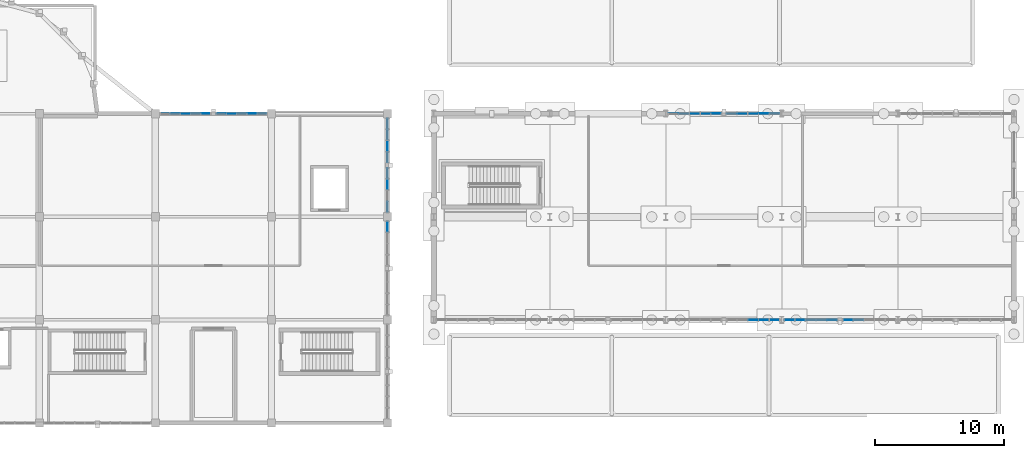
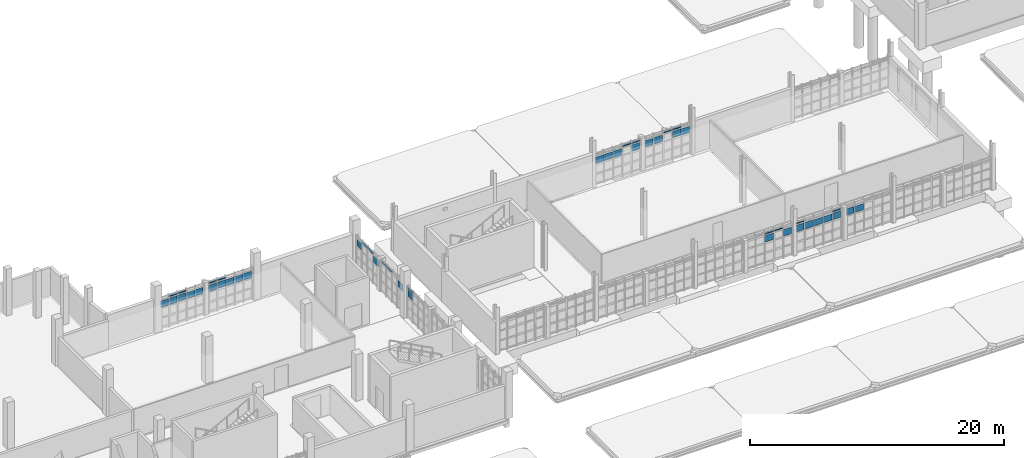
# One storey, part 99 of 125: 48 plates, 10 elements without a shape of their own.
"""IFC4 building model written with IfcOpenShell, lengths in metres."""

from ifc_helpers import new_model, si_unit, direction, frame, origin, origin_2d, place, context, subcontext, project, spatial, rectangle, extrude, material, layer, layer_set, type_object, element, aggregate, save


model = new_model("IFC4")

# Units and contexts
model_context = context("Model", 3, precision=1e-05, world=origin(), true_north=direction((0.0, 1.0)))
body_context = subcontext(model_context, "Body", "Model", "MODEL_VIEW")
ifc_project = project(units=[si_unit("LENGTHUNIT", "METRE"), si_unit("AREAUNIT", "SQUARE_METRE"), si_unit("VOLUMEUNIT", "CUBIC_METRE"), si_unit("PLANEANGLEUNIT", "RADIAN"), si_unit("MASSUNIT", "GRAM", prefix="KILO")], contexts=[model_context])

# Site, building, storey
site_placement = place(None, origin())
site = spatial("IfcSite", under=ifc_project, at=site_placement, CompositionType="ELEMENT")
building_placement = place(site_placement, origin())
building = spatial("IfcBuilding", under=site, at=building_placement, Name="Serraforn Aerial Cableway Station", CompositionType="ELEMENT")
storey_placement = place(building_placement, frame((0.0, 0.0, 4.5)))
storey = spatial("IfcBuildingStorey", under=building, at=storey_placement, Name="L01", CompositionType="ELEMENT", Elevation=4.5)

# Curtain wall, plate
ifc_material_1 = material(Name="Anodised bronze unitised curtain wall")
curtain_wall_type_1 = type_object("IfcCurtainWallType", Name="CW-SYS-27", PredefinedType="USERDEFINED", material=ifc_material_1)
curtain_wall_1_placement = place(storey_placement, origin())
curtain_wall_1 = element("IfcCurtainWall", 1, at=curtain_wall_1_placement, inside=storey, type_object=curtain_wall_type_1, Name="Unitised Curtain Wall CW-CV-L01-N6A", ObjectType="UNITISED CURTAIN WALL", PredefinedType="USERDEFINED")
ifc_material_2 = material(Name="Solar-control low-E double glazing", Category="glass")
ifc_layer_1 = layer(ifc_material_2, 0.02587890625)
ifc_layer_set_1 = layer_set([ifc_layer_1], Name="Solar-control low-E double glazing")
plate_type_1 = type_object("IfcPlateType", Name="CW-GLZ-1", PredefinedType="CURTAIN_PANEL", material=ifc_layer_set_1)
plate_1_placement = place(storey_placement, frame((78.48046875, 42.0, 2.077392578125), z_axis=(0.0, 0.0, 1.0), x_axis=(1.0, 0.0, 0.0)))
plate_1 = element("IfcPlate", 2, at=plate_1_placement, type_object=plate_type_1, Name="Curtain Wall Panel CW-CV-L01-N6A-P4-3", PredefinedType="CURTAIN_PANEL", context=body_context, shape_type="SweptSolid", body=[
    extrude(rectangle(XDim=0.740966796875, YDim=0.02587890625, at=origin_2d()), origin(), (0.0, 0.0, 1.0), 0.615234375),
])

curtain_wall_type_2 = type_object("IfcCurtainWallType", Name="CW-SYS-28", PredefinedType="USERDEFINED", material=ifc_material_1)
curtain_wall_2_placement = place(storey_placement, origin())
curtain_wall_2 = element("IfcCurtainWall", 3, at=curtain_wall_2_placement, inside=storey, type_object=curtain_wall_type_2, Name="Unitised Curtain Wall CW-CV-L01-N6B", ObjectType="UNITISED CURTAIN WALL", PredefinedType="USERDEFINED")
plate_2_placement = place(storey_placement, frame((74.9228515625, 42.0, 2.077392578125), z_axis=(0.0, 0.0, 1.0), x_axis=(1.0, 0.0, 0.0)))
plate_2 = element("IfcPlate", 4, at=plate_2_placement, type_object=plate_type_1, Name="Curtain Wall Panel CW-CV-L01-N6B-P3-3", PredefinedType="CURTAIN_PANEL", context=body_context, shape_type="SweptSolid", body=[
    extrude(rectangle(XDim=0.740966796875, YDim=0.02587890625, at=origin_2d()), origin(), (0.0, 0.0, 1.0), 0.615234375),
])

# Curtain wall, plates
curtain_wall_type_3 = type_object("IfcCurtainWallType", Name="CW-SYS-14", PredefinedType="USERDEFINED", material=ifc_material_1)
curtain_wall_3_placement = place(storey_placement, origin())
curtain_wall_3 = element("IfcCurtainWall", 5, at=curtain_wall_3_placement, inside=storey, type_object=curtain_wall_type_3, Name="Unitised Curtain Wall CW-EL-L01-S3B", ObjectType="UNITISED CURTAIN WALL", PredefinedType="USERDEFINED")
plate_3_placement = place(storey_placement, frame((119.799072265625, 26.0, 2.8037109375), z_axis=(0.0, 0.0, 1.0), x_axis=(1.0, 0.0, 0.0)))
plate_3 = element("IfcPlate", 6, at=plate_3_placement, type_object=plate_type_1, Name="Curtain Wall Panel CW-EL-L01-S3B-P4-4", PredefinedType="CURTAIN_PANEL", context=body_context, shape_type="SweptSolid", body=[
    extrude(rectangle(XDim=0.77099609375, YDim=0.02587890625, at=origin_2d()), origin(), (0.0, 0.0, 1.0), 0.126220703125),
])
plate_4_placement = place(storey_placement, frame((120.61474609375, 26.0, 2.0546875), z_axis=(0.0, 0.0, 1.0), x_axis=(1.0, 0.0, 0.0)))
plate_4 = element("IfcPlate", 7, at=plate_4_placement, type_object=plate_type_1, Name="Curtain Wall Panel CW-EL-L01-S3B-P5-3", PredefinedType="CURTAIN_PANEL", context=body_context, shape_type="SweptSolid", body=[
    extrude(rectangle(XDim=0.728515625, YDim=0.02587890625, at=origin_2d()), origin(), (0.0, 0.0, 1.0), 0.625244140625),
])

curtain_wall_type_4 = type_object("IfcCurtainWallType", Name="CW-SYS-15", PredefinedType="USERDEFINED", material=ifc_material_1)
curtain_wall_4_placement = place(storey_placement, origin())
curtain_wall_4 = element("IfcCurtainWall", 8, at=curtain_wall_4_placement, inside=storey, type_object=curtain_wall_type_4, Name="Unitised Curtain Wall CW-EL-L01-N3A", ObjectType="UNITISED CURTAIN WALL", PredefinedType="USERDEFINED")
plate_5_placement = place(storey_placement, frame((118.96728515625, 42.0, 2.8037109375), z_axis=(0.0, 0.0, 1.0), x_axis=(1.0, 0.0, 0.0)))
plate_5 = element("IfcPlate", 9, at=plate_5_placement, type_object=plate_type_1, Name="Curtain Wall Panel CW-EL-L01-N3A-P3-4", PredefinedType="CURTAIN_PANEL", context=body_context, shape_type="SweptSolid", body=[
    extrude(rectangle(XDim=0.77099609375, YDim=0.02587890625, at=origin_2d()), origin(), (0.0, 0.0, 1.0), 0.126220703125),
])
plate_6_placement = place(storey_placement, frame((118.1328125, 42.0, 2.0546875), z_axis=(0.0, 0.0, 1.0), x_axis=(1.0, 0.0, 0.0)))
plate_6 = element("IfcPlate", 10, at=plate_6_placement, type_object=plate_type_1, Name="Curtain Wall Panel CW-EL-L01-N3A-P4-3", PredefinedType="CURTAIN_PANEL", context=body_context, shape_type="SweptSolid", body=[
    extrude(rectangle(XDim=0.765869140625, YDim=0.02587890625, at=origin_2d()), origin(), (0.0, 0.0, 1.0), 0.625244140625),
])

curtain_wall_type_5 = type_object("IfcCurtainWallType", Name="CW-SYS-16", PredefinedType="USERDEFINED", material=ifc_material_1)
curtain_wall_5_placement = place(storey_placement, origin())
curtain_wall_5 = element("IfcCurtainWall", 11, at=curtain_wall_5_placement, inside=storey, type_object=curtain_wall_type_5, Name="Unitised Curtain Wall CW-EL-L01-N3B", ObjectType="UNITISED CURTAIN WALL", PredefinedType="USERDEFINED")
plate_7_placement = place(storey_placement, frame((115.26953125, 42.0, 2.8037109375), z_axis=(0.0, 0.0, 1.0), x_axis=(1.0, 0.0, 0.0)))
plate_7 = element("IfcPlate", 12, at=plate_7_placement, type_object=plate_type_1, Name="Curtain Wall Panel CW-EL-L01-N3B-P2-4", PredefinedType="CURTAIN_PANEL", context=body_context, shape_type="SweptSolid", body=[
    extrude(rectangle(XDim=0.77099609375, YDim=0.02587890625, at=origin_2d()), origin(), (0.0, 0.0, 1.0), 0.126220703125),
])
plate_8_placement = place(storey_placement, frame((114.435302734375, 42.0, 2.0546875), z_axis=(0.0, 0.0, 1.0), x_axis=(1.0, 0.0, 0.0)))
plate_8 = element("IfcPlate", 13, at=plate_8_placement, type_object=plate_type_1, Name="Curtain Wall Panel CW-EL-L01-N3B-P3-3", PredefinedType="CURTAIN_PANEL", context=body_context, shape_type="SweptSolid", body=[
    extrude(rectangle(XDim=0.765869140625, YDim=0.02587890625, at=origin_2d()), origin(), (0.0, 0.0, 1.0), 0.625244140625),
])

curtain_wall_type_6 = type_object("IfcCurtainWallType", Name="CW-SYS-17", PredefinedType="USERDEFINED", material=ifc_material_1)
curtain_wall_6_placement = place(storey_placement, origin())
curtain_wall_6 = element("IfcCurtainWall", 14, at=curtain_wall_6_placement, inside=storey, type_object=curtain_wall_type_6, Name="Unitised Curtain Wall CW-EL-L01-S4A", ObjectType="UNITISED CURTAIN WALL", PredefinedType="USERDEFINED")
plate_9_placement = place(storey_placement, frame((121.7802734375, 26.0, 2.8037109375), z_axis=(0.0, 0.0, 1.0), x_axis=(1.0, 0.0, 0.0)))
plate_9 = element("IfcPlate", 15, at=plate_9_placement, type_object=plate_type_1, Name="Curtain Wall Panel CW-EL-L01-S4A-P1-4", PredefinedType="CURTAIN_PANEL", context=body_context, shape_type="SweptSolid", body=[
    extrude(rectangle(XDim=0.73828125, YDim=0.02587890625, at=origin_2d()), origin(), (0.0, 0.0, 1.0), 0.126220703125),
])
plate_10_placement = place(storey_placement, frame((122.598388671875, 26.0, 2.0546875), z_axis=(0.0, 0.0, 1.0), x_axis=(1.0, 0.0, 0.0)))
plate_10 = element("IfcPlate", 16, at=plate_10_placement, type_object=plate_type_1, Name="Curtain Wall Panel CW-EL-L01-S4A-P2-3", PredefinedType="CURTAIN_PANEL", context=body_context, shape_type="SweptSolid", body=[
    extrude(rectangle(XDim=0.765869140625, YDim=0.02587890625, at=origin_2d()), origin(), (0.0, 0.0, 1.0), 0.625244140625),
])

# Curtain wall, plate
curtain_wall_type_7 = type_object("IfcCurtainWallType", Name="CW-SYS-18", PredefinedType="USERDEFINED", material=ifc_material_1)
curtain_wall_7_placement = place(storey_placement, origin())
curtain_wall_7 = element("IfcCurtainWall", 17, at=curtain_wall_7_placement, inside=storey, type_object=curtain_wall_type_7, Name="Unitised Curtain Wall CW-EL-L01-S4B", ObjectType="UNITISED CURTAIN WALL", PredefinedType="USERDEFINED")
plate_11_placement = place(storey_placement, frame((126.3134765625, 26.0, 2.0546875), z_axis=(0.0, 0.0, 1.0), x_axis=(1.0, 0.0, 0.0)))
plate_11 = element("IfcPlate", 18, at=plate_11_placement, type_object=plate_type_1, Name="Curtain Wall Panel CW-EL-L01-S4B-P1-3", PredefinedType="CURTAIN_PANEL", context=body_context, shape_type="SweptSolid", body=[
    extrude(rectangle(XDim=0.73095703125, YDim=0.02587890625, at=origin_2d()), origin(), (0.0, 0.0, 1.0), 0.625244140625),
])

# Plate
ifc_layer_2 = layer(ifc_material_2, 0.028076171875)
ifc_layer_set_2 = layer_set([ifc_layer_2], Name="Solar-control low-E double glazing")
plate_type_2 = type_object("IfcPlateType", Name="CW-GLZ-2", PredefinedType="CURTAIN_PANEL", material=ifc_layer_set_2)
plate_12_placement = place(storey_placement, frame((78.48046875, 42.0, 2.798583984375), z_axis=(0.0, 0.0, 1.0), x_axis=(1.0, 0.0, 0.0)))
plate_12 = element("IfcPlate", 19, at=plate_12_placement, type_object=plate_type_2, Name="Curtain Wall Panel CW-CV-L01-N6A-P4-4", PredefinedType="CURTAIN_PANEL", context=body_context, shape_type="SweptSolid", body=[
    extrude(rectangle(XDim=0.740966796875, YDim=0.028076171875, at=origin_2d()), origin(), (0.0, 0.0, 1.0), 0.138671875),
])

plate_13_placement = place(storey_placement, frame((77.698486328125, 42.0, 2.0498046875), z_axis=(0.0, 0.0, 1.0), x_axis=(1.0, 0.0, 0.0)))
plate_13 = element("IfcPlate", 20, at=plate_13_placement, type_object=plate_type_2, Name="Curtain Wall Panel CW-CV-L01-N6A-P5-3", PredefinedType="CURTAIN_PANEL", context=body_context, shape_type="SweptSolid", body=[
    extrude(rectangle(XDim=0.700927734375, YDim=0.028076171875, at=origin_2d()), origin(), (0.0, 0.0, 1.0), 0.6376953125),
])

plate_14_placement = place(storey_placement, frame((74.9228515625, 42.0, 2.798583984375), z_axis=(0.0, 0.0, 1.0), x_axis=(1.0, 0.0, 0.0)))
plate_14 = element("IfcPlate", 21, at=plate_14_placement, type_object=plate_type_2, Name="Curtain Wall Panel CW-CV-L01-N6B-P3-4", PredefinedType="CURTAIN_PANEL", context=body_context, shape_type="SweptSolid", body=[
    extrude(rectangle(XDim=0.740966796875, YDim=0.028076171875, at=origin_2d()), origin(), (0.0, 0.0, 1.0), 0.138671875),
])

plate_15_placement = place(storey_placement, frame((74.123291015625, 42.0, 2.0498046875), z_axis=(0.0, 0.0, 1.0), x_axis=(1.0, 0.0, 0.0)))
plate_15 = element("IfcPlate", 22, at=plate_15_placement, type_object=plate_type_2, Name="Curtain Wall Panel CW-CV-L01-N6B-P4-3", PredefinedType="CURTAIN_PANEL", context=body_context, shape_type="SweptSolid", body=[
    extrude(rectangle(XDim=0.73583984375, YDim=0.028076171875, at=origin_2d()), origin(), (0.0, 0.0, 1.0), 0.6376953125),
])

plate_16_placement = place(storey_placement, frame((117.305908203125, 42.0, 2.062255859375), z_axis=(0.0, 0.0, 1.0), x_axis=(1.0, 0.0, 0.0)))
plate_16 = element("IfcPlate", 23, at=plate_16_placement, type_object=plate_type_2, Name="Curtain Wall Panel CW-EL-L01-N3A-P5-3", PredefinedType="CURTAIN_PANEL", context=body_context, shape_type="SweptSolid", body=[
    extrude(rectangle(XDim=0.745849609375, YDim=0.028076171875, at=origin_2d()), origin(), (0.0, 0.0, 1.0), 0.6103515625),
])

plate_17_placement = place(storey_placement, frame((113.594482421875, 42.0, 2.062255859375), z_axis=(0.0, 0.0, 1.0), x_axis=(1.0, 0.0, 0.0)))
plate_17 = element("IfcPlate", 24, at=plate_17_placement, type_object=plate_type_2, Name="Curtain Wall Panel CW-EL-L01-N3B-P4-3", PredefinedType="CURTAIN_PANEL", context=body_context, shape_type="SweptSolid", body=[
    extrude(rectangle(XDim=0.7734375, YDim=0.028076171875, at=origin_2d()), origin(), (0.0, 0.0, 1.0), 0.6103515625),
])

plate_18_placement = place(storey_placement, frame((123.43896484375, 26.0, 2.062255859375), z_axis=(0.0, 0.0, 1.0), x_axis=(1.0, 0.0, 0.0)))
plate_18 = element("IfcPlate", 25, at=plate_18_placement, type_object=plate_type_2, Name="Curtain Wall Panel CW-EL-L01-S4A-P3-3", PredefinedType="CURTAIN_PANEL", context=body_context, shape_type="SweptSolid", body=[
    extrude(rectangle(XDim=0.7734375, YDim=0.028076171875, at=origin_2d()), origin(), (0.0, 0.0, 1.0), 0.6103515625),
])

plate_19_placement = place(storey_placement, frame((127.13671875, 26.0, 2.062255859375), z_axis=(0.0, 0.0, 1.0), x_axis=(1.0, 0.0, 0.0)))
plate_19 = element("IfcPlate", 26, at=plate_19_placement, type_object=plate_type_2, Name="Curtain Wall Panel CW-EL-L01-S4B-P2-3", PredefinedType="CURTAIN_PANEL", context=body_context, shape_type="SweptSolid", body=[
    extrude(rectangle(XDim=0.7734375, YDim=0.028076171875, at=origin_2d()), origin(), (0.0, 0.0, 1.0), 0.6103515625),
])

aggregate(curtain_wall_7, [plate_11, plate_19])

ifc_layer_3 = layer(ifc_material_2, 0.030029296875)
ifc_layer_set_3 = layer_set([ifc_layer_3], Name="Solar-control low-E double glazing")
plate_type_3 = type_object("IfcPlateType", Name="CW-GLZ-3", PredefinedType="CURTAIN_PANEL", material=ifc_layer_set_3)
plate_20_placement = place(storey_placement, frame((77.698486328125, 42.0, 2.8037109375), z_axis=(0.0, 0.0, 1.0), x_axis=(1.0, 0.0, 0.0)))
plate_20 = element("IfcPlate", 27, at=plate_20_placement, type_object=plate_type_3, Name="Curtain Wall Panel CW-CV-L01-N6A-P5-4", PredefinedType="CURTAIN_PANEL", context=body_context, shape_type="SweptSolid", body=[
    extrude(rectangle(XDim=0.700927734375, YDim=0.030029296875, at=origin_2d()), origin(), (0.0, 0.0, 1.0), 0.126220703125),
])

plate_21_placement = place(storey_placement, frame((74.123291015625, 42.0, 2.8037109375), z_axis=(0.0, 0.0, 1.0), x_axis=(1.0, 0.0, 0.0)))
plate_21 = element("IfcPlate", 28, at=plate_21_placement, type_object=plate_type_3, Name="Curtain Wall Panel CW-CV-L01-N6B-P4-4", PredefinedType="CURTAIN_PANEL", context=body_context, shape_type="SweptSolid", body=[
    extrude(rectangle(XDim=0.73583984375, YDim=0.030029296875, at=origin_2d()), origin(), (0.0, 0.0, 1.0), 0.126220703125),
])

plate_22_placement = place(storey_placement, frame((73.3427734375, 42.0, 2.0546875), z_axis=(0.0, 0.0, 1.0), x_axis=(1.0, 0.0, 0.0)))
plate_22 = element("IfcPlate", 29, at=plate_22_placement, type_object=plate_type_3, Name="Curtain Wall Panel CW-CV-L01-N6B-P5-3", PredefinedType="CURTAIN_PANEL", context=body_context, shape_type="SweptSolid", body=[
    extrude(rectangle(XDim=0.693359375, YDim=0.030029296875, at=origin_2d()), origin(), (0.0, 0.0, 1.0), 0.625244140625),
])

plate_23_placement = place(storey_placement, frame((112.781494140625, 42.0, 2.06982421875), z_axis=(0.0, 0.0, 1.0), x_axis=(1.0, 0.0, 0.0)))
plate_23 = element("IfcPlate", 30, at=plate_23_placement, type_object=plate_type_3, Name="Curtain Wall Panel CW-EL-L01-N3B-P5-3", PredefinedType="CURTAIN_PANEL", context=body_context, shape_type="SweptSolid", body=[
    extrude(rectangle(XDim=0.7509765625, YDim=0.030029296875, at=origin_2d()), origin(), (0.0, 0.0, 1.0), 0.59521484375),
])

plate_24_placement = place(storey_placement, frame((124.26708984375, 26.0, 2.06982421875), z_axis=(0.0, 0.0, 1.0), x_axis=(1.0, 0.0, 0.0)))
plate_24 = element("IfcPlate", 31, at=plate_24_placement, type_object=plate_type_3, Name="Curtain Wall Panel CW-EL-L01-S4A-P4-3", PredefinedType="CURTAIN_PANEL", context=body_context, shape_type="SweptSolid", body=[
    extrude(rectangle(XDim=0.781005859375, YDim=0.030029296875, at=origin_2d()), origin(), (0.0, 0.0, 1.0), 0.59521484375),
])

# Curtain wall, plate
curtain_wall_type_8 = type_object("IfcCurtainWallType", Name="CW-SYS-5", PredefinedType="USERDEFINED", material=ifc_material_1)
curtain_wall_8_placement = place(storey_placement, origin())
curtain_wall_8 = element("IfcCurtainWall", 32, at=curtain_wall_8_placement, inside=storey, type_object=curtain_wall_type_8, Name="Unitised Curtain Wall CW-CV-L01-E3A", ObjectType="UNITISED CURTAIN WALL", PredefinedType="USERDEFINED")
ifc_layer_4 = layer(ifc_material_2, 0.031982421875)
ifc_layer_set_4 = layer_set([ifc_layer_4], Name="Solar-control low-E double glazing")
plate_type_4 = type_object("IfcPlateType", Name="CW-GLZ-4", PredefinedType="CURTAIN_PANEL", material=ifc_layer_set_4)
plate_25_placement = place(storey_placement, frame((90.60009765625, 34.783935546875, 2.062255859375), z_axis=(0.0, 0.0, 1.0), x_axis=(1.0, 0.0, 0.0)))
plate_25 = element("IfcPlate", 33, at=plate_25_placement, type_object=plate_type_4, Name="Curtain Wall Panel CW-CV-L01-E3A-P1-3", PredefinedType="CURTAIN_PANEL", context=body_context, shape_type="SweptSolid", body=[
    extrude(rectangle(XDim=0.031982421875, YDim=0.77587890625, at=origin_2d()), origin(), (0.0, 0.0, 1.0), 0.6103515625),
])

# Plate
plate_26_placement = place(storey_placement, frame((125.085205078125, 26.0, 2.077392578125), z_axis=(0.0, 0.0, 1.0), x_axis=(1.0, 0.0, 0.0)))
plate_26 = element("IfcPlate", 34, at=plate_26_placement, type_object=plate_type_4, Name="Curtain Wall Panel CW-EL-L01-S4A-P5-3", PredefinedType="CURTAIN_PANEL", context=body_context, shape_type="SweptSolid", body=[
    extrude(rectangle(XDim=0.743408203125, YDim=0.031982421875, at=origin_2d()), origin(), (0.0, 0.0, 1.0), 0.615234375),
])

# Curtain wall, plate
curtain_wall_type_9 = type_object("IfcCurtainWallType", Name="CW-SYS-6", PredefinedType="USERDEFINED", material=ifc_material_1)
curtain_wall_9_placement = place(storey_placement, origin())
curtain_wall_9 = element("IfcCurtainWall", 35, at=curtain_wall_9_placement, inside=storey, type_object=curtain_wall_type_9, Name="Unitised Curtain Wall CW-CV-L01-E3B", ObjectType="UNITISED CURTAIN WALL", PredefinedType="USERDEFINED")
ifc_layer_5 = layer(ifc_material_2, 0.033935546875)
ifc_layer_set_5 = layer_set([ifc_layer_5], Name="Solar-control low-E double glazing")
plate_type_5 = type_object("IfcPlateType", Name="CW-GLZ-5", PredefinedType="CURTAIN_PANEL", material=ifc_layer_set_5)
plate_27_placement = place(storey_placement, frame((90.60009765625, 38.629638671875, 2.06982421875), z_axis=(0.0, 0.0, 1.0), x_axis=(1.0, 0.0, 0.0)))
plate_27 = element("IfcPlate", 36, at=plate_27_placement, type_object=plate_type_5, Name="Curtain Wall Panel CW-CV-L01-E3B-P1-3", PredefinedType="CURTAIN_PANEL", context=body_context, shape_type="SweptSolid", body=[
    extrude(rectangle(XDim=0.033935546875, YDim=0.793212890625, at=origin_2d()), origin(), (0.0, 0.0, 1.0), 0.59521484375),
])

# Plate
plate_28_placement = place(storey_placement, frame((125.085205078125, 26.0, 2.798583984375), z_axis=(0.0, 0.0, 1.0), x_axis=(1.0, 0.0, 0.0)))
plate_28 = element("IfcPlate", 37, at=plate_28_placement, type_object=plate_type_5, Name="Curtain Wall Panel CW-EL-L01-S4A-P5-4", PredefinedType="CURTAIN_PANEL", context=body_context, shape_type="SweptSolid", body=[
    extrude(rectangle(XDim=0.743408203125, YDim=0.033935546875, at=origin_2d()), origin(), (0.0, 0.0, 1.0), 0.138671875),
])

ifc_layer_6 = layer(ifc_material_2, 0.035888671875)
ifc_layer_set_6 = layer_set([ifc_layer_6], Name="Solar-control low-E double glazing")
plate_type_6 = type_object("IfcPlateType", Name="CW-GLZ-6", PredefinedType="CURTAIN_PANEL", material=ifc_layer_set_6)
plate_29_placement = place(storey_placement, frame((80.861083984375, 42.0, 2.0546875), z_axis=(0.0, 0.0, 1.0), x_axis=(1.0, 0.0, 0.0)))
plate_29 = element("IfcPlate", 38, at=plate_29_placement, type_object=plate_type_6, Name="Curtain Wall Panel CW-CV-L01-N6A-P1-3", PredefinedType="CURTAIN_PANEL", context=body_context, shape_type="SweptSolid", body=[
    extrude(rectangle(XDim=0.69580078125, YDim=0.035888671875, at=origin_2d()), origin(), (0.0, 0.0, 1.0), 0.625244140625),
])

# Curtain wall, plate
curtain_wall_type_10 = type_object("IfcCurtainWallType", Name="CW-SYS-4", PredefinedType="USERDEFINED", material=ifc_material_1)
curtain_wall_10_placement = place(storey_placement, origin())
curtain_wall_10 = element("IfcCurtainWall", 39, at=curtain_wall_10_placement, inside=storey, type_object=curtain_wall_type_10, Name="Unitised Curtain Wall CW-CV-L01-E2B", ObjectType="UNITISED CURTAIN WALL", PredefinedType="USERDEFINED")
plate_30_placement = place(storey_placement, frame((90.60009765625, 33.222412109375, 2.077392578125), z_axis=(0.0, 0.0, 1.0), x_axis=(1.0, 0.0, 0.0)))
plate_30 = element("IfcPlate", 40, at=plate_30_placement, type_object=plate_type_6, Name="Curtain Wall Panel CW-CV-L01-E2B-P4-3", PredefinedType="CURTAIN_PANEL", context=body_context, shape_type="SweptSolid", body=[
    extrude(rectangle(XDim=0.035888671875, YDim=0.783203125, at=origin_2d()), origin(), (0.0, 0.0, 1.0), 0.615234375),
])

# Plate
plate_31_placement = place(storey_placement, frame((120.622314453125, 42.0, 2.06982421875), z_axis=(0.0, 0.0, 1.0), x_axis=(1.0, 0.0, 0.0)))
plate_31 = element("IfcPlate", 41, at=plate_31_placement, type_object=plate_type_6, Name="Curtain Wall Panel CW-EL-L01-N3A-P1-3", PredefinedType="CURTAIN_PANEL", context=body_context, shape_type="SweptSolid", body=[
    extrude(rectangle(XDim=0.75341796875, YDim=0.035888671875, at=origin_2d()), origin(), (0.0, 0.0, 1.0), 0.59521484375),
])

ifc_layer_7 = layer(ifc_material_2, 0.029052734375)
ifc_layer_set_7 = layer_set([ifc_layer_7], Name="Solar-control low-E double glazing")
plate_type_7 = type_object("IfcPlateType", Name="CW-GLZ-7", PredefinedType="CURTAIN_PANEL", material=ifc_layer_set_7)
plate_32_placement = place(storey_placement, frame((80.072998046875, 42.0, 2.062255859375), z_axis=(0.0, 0.0, 1.0), x_axis=(1.0, 0.0, 0.0)))
plate_32 = element("IfcPlate", 42, at=plate_32_placement, type_object=plate_type_7, Name="Curtain Wall Panel CW-CV-L01-N6A-P2-3", PredefinedType="CURTAIN_PANEL", context=body_context, shape_type="SweptSolid", body=[
    extrude(rectangle(XDim=0.73828125, YDim=0.029052734375, at=origin_2d()), origin(), (0.0, 0.0, 1.0), 0.6103515625),
])

plate_33_placement = place(storey_placement, frame((76.49658203125, 42.0, 2.062255859375), z_axis=(0.0, 0.0, 1.0), x_axis=(1.0, 0.0, 0.0)))
plate_33 = element("IfcPlate", 43, at=plate_33_placement, type_object=plate_type_7, Name="Curtain Wall Panel CW-CV-L01-N6B-P1-3", PredefinedType="CURTAIN_PANEL", context=body_context, shape_type="SweptSolid", body=[
    extrude(rectangle(XDim=0.700927734375, YDim=0.029052734375, at=origin_2d()), origin(), (0.0, 0.0, 1.0), 0.6103515625),
])

plate_34_placement = place(storey_placement, frame((90.60009765625, 33.222412109375, 2.798583984375), z_axis=(0.0, 0.0, 1.0), x_axis=(1.0, 0.0, 0.0)))
plate_34 = element("IfcPlate", 44, at=plate_34_placement, type_object=plate_type_7, Name="Curtain Wall Panel CW-CV-L01-E2B-P4-4", PredefinedType="CURTAIN_PANEL", context=body_context, shape_type="SweptSolid", body=[
    extrude(rectangle(XDim=0.029052734375, YDim=0.783203125, at=origin_2d()), origin(), (0.0, 0.0, 1.0), 0.138671875),
])

aggregate(curtain_wall_10, [plate_30, plate_34])

plate_35_placement = place(storey_placement, frame((90.60009765625, 36.50732421875, 2.798583984375), z_axis=(0.0, 0.0, 1.0), x_axis=(1.0, 0.0, 0.0)))
plate_35 = element("IfcPlate", 45, at=plate_35_placement, type_object=plate_type_7, Name="Curtain Wall Panel CW-CV-L01-E3A-P3-4", PredefinedType="CURTAIN_PANEL", context=body_context, shape_type="SweptSolid", body=[
    extrude(rectangle(XDim=0.029052734375, YDim=0.815673828125, at=origin_2d()), origin(), (0.0, 0.0, 1.0), 0.138671875),
])

plate_36_placement = place(storey_placement, frame((90.60009765625, 39.489990234375, 2.798583984375), z_axis=(0.0, 0.0, 1.0), x_axis=(1.0, 0.0, 0.0)))
plate_36 = element("IfcPlate", 46, at=plate_36_placement, type_object=plate_type_7, Name="Curtain Wall Panel CW-CV-L01-E3B-P2-4", PredefinedType="CURTAIN_PANEL", context=body_context, shape_type="SweptSolid", body=[
    extrude(rectangle(XDim=0.029052734375, YDim=0.815673828125, at=origin_2d()), origin(), (0.0, 0.0, 1.0), 0.138671875),
])

plate_37_placement = place(storey_placement, frame((118.964599609375, 26.0, 2.077392578125), z_axis=(0.0, 0.0, 1.0), x_axis=(1.0, 0.0, 0.0)))
plate_37 = element("IfcPlate", 47, at=plate_37_placement, type_object=plate_type_7, Name="Curtain Wall Panel CW-EL-L01-S3B-P3-3", PredefinedType="CURTAIN_PANEL", context=body_context, shape_type="SweptSolid", body=[
    extrude(rectangle(XDim=0.77587890625, YDim=0.029052734375, at=origin_2d()), origin(), (0.0, 0.0, 1.0), 0.615234375),
])

plate_38_placement = place(storey_placement, frame((119.8017578125, 42.0, 2.077392578125), z_axis=(0.0, 0.0, 1.0), x_axis=(1.0, 0.0, 0.0)))
plate_38 = element("IfcPlate", 48, at=plate_38_placement, type_object=plate_type_7, Name="Curtain Wall Panel CW-EL-L01-N3A-P2-3", PredefinedType="CURTAIN_PANEL", context=body_context, shape_type="SweptSolid", body=[
    extrude(rectangle(XDim=0.77587890625, YDim=0.029052734375, at=origin_2d()), origin(), (0.0, 0.0, 1.0), 0.615234375),
])

plate_39_placement = place(storey_placement, frame((116.089111328125, 42.0, 2.077392578125), z_axis=(0.0, 0.0, 1.0), x_axis=(1.0, 0.0, 0.0)))
plate_39 = element("IfcPlate", 49, at=plate_39_placement, type_object=plate_type_7, Name="Curtain Wall Panel CW-EL-L01-N3B-P1-3", PredefinedType="CURTAIN_PANEL", context=body_context, shape_type="SweptSolid", body=[
    extrude(rectangle(XDim=0.745849609375, YDim=0.029052734375, at=origin_2d()), origin(), (0.0, 0.0, 1.0), 0.615234375),
])

ifc_layer_8 = layer(ifc_material_2, 0.031005859375)
ifc_layer_set_8 = layer_set([ifc_layer_8], Name="Solar-control low-E double glazing")
plate_type_8 = type_object("IfcPlateType", Name="CW-GLZ-8", PredefinedType="CURTAIN_PANEL", material=ifc_layer_set_8)
plate_40_placement = place(storey_placement, frame((79.27978515625, 42.0, 2.06982421875), z_axis=(0.0, 0.0, 1.0), x_axis=(1.0, 0.0, 0.0)))
plate_40 = element("IfcPlate", 50, at=plate_40_placement, type_object=plate_type_8, Name="Curtain Wall Panel CW-CV-L01-N6A-P3-3", PredefinedType="CURTAIN_PANEL", context=body_context, shape_type="SweptSolid", body=[
    extrude(rectangle(XDim=0.745849609375, YDim=0.031005859375, at=origin_2d()), origin(), (0.0, 0.0, 1.0), 0.59521484375),
])

aggregate(curtain_wall_1, [plate_29, plate_32, plate_40, plate_1, plate_12, plate_13, plate_20])

plate_41_placement = place(storey_placement, frame((75.72216796875, 42.0, 2.06982421875), z_axis=(0.0, 0.0, 1.0), x_axis=(1.0, 0.0, 0.0)))
plate_41 = element("IfcPlate", 51, at=plate_41_placement, type_object=plate_type_8, Name="Curtain Wall Panel CW-CV-L01-N6B-P2-3", PredefinedType="CURTAIN_PANEL", context=body_context, shape_type="SweptSolid", body=[
    extrude(rectangle(XDim=0.745849609375, YDim=0.031005859375, at=origin_2d()), origin(), (0.0, 0.0, 1.0), 0.59521484375),
])

aggregate(curtain_wall_2, [plate_33, plate_41, plate_2, plate_14, plate_15, plate_21, plate_22])

plate_42_placement = place(storey_placement, frame((90.60009765625, 37.364013671875, 2.8037109375), z_axis=(0.0, 0.0, 1.0), x_axis=(1.0, 0.0, 0.0)))
plate_42 = element("IfcPlate", 52, at=plate_42_placement, type_object=plate_type_8, Name="Curtain Wall Panel CW-CV-L01-E3A-P4-4", PredefinedType="CURTAIN_PANEL", context=body_context, shape_type="SweptSolid", body=[
    extrude(rectangle(XDim=0.031005859375, YDim=0.775634765625, at=origin_2d()), origin(), (0.0, 0.0, 1.0), 0.126220703125),
])

aggregate(curtain_wall_8, [plate_25, plate_35, plate_42])

plate_43_placement = place(storey_placement, frame((90.60009765625, 40.364501953125, 2.8037109375), z_axis=(0.0, 0.0, 1.0), x_axis=(1.0, 0.0, 0.0)))
plate_43 = element("IfcPlate", 53, at=plate_43_placement, type_object=plate_type_8, Name="Curtain Wall Panel CW-CV-L01-E3B-P3-4", PredefinedType="CURTAIN_PANEL", context=body_context, shape_type="SweptSolid", body=[
    extrude(rectangle(XDim=0.031005859375, YDim=0.810791015625, at=origin_2d()), origin(), (0.0, 0.0, 1.0), 0.126220703125),
])

plate_44_placement = place(storey_placement, frame((90.60009765625, 41.219970703125, 2.0546875), z_axis=(0.0, 0.0, 1.0), x_axis=(1.0, 0.0, 0.0)))
plate_44 = element("IfcPlate", 54, at=plate_44_placement, type_object=plate_type_8, Name="Curtain Wall Panel CW-CV-L01-E3B-P4-3", PredefinedType="CURTAIN_PANEL", context=body_context, shape_type="SweptSolid", body=[
    extrude(rectangle(XDim=0.031005859375, YDim=0.768310546875, at=origin_2d()), origin(), (0.0, 0.0, 1.0), 0.625244140625),
])

aggregate(curtain_wall_9, [plate_27, plate_36, plate_43, plate_44])

plate_45_placement = place(storey_placement, frame((118.964599609375, 26.0, 2.798583984375), z_axis=(0.0, 0.0, 1.0), x_axis=(1.0, 0.0, 0.0)))
plate_45 = element("IfcPlate", 55, at=plate_45_placement, type_object=plate_type_8, Name="Curtain Wall Panel CW-EL-L01-S3B-P3-4", PredefinedType="CURTAIN_PANEL", context=body_context, shape_type="SweptSolid", body=[
    extrude(rectangle(XDim=0.77587890625, YDim=0.031005859375, at=origin_2d()), origin(), (0.0, 0.0, 1.0), 0.138671875),
])

aggregate(curtain_wall_3, [plate_37, plate_45, plate_3, plate_4])

plate_46_placement = place(storey_placement, frame((119.8017578125, 42.0, 2.798583984375), z_axis=(0.0, 0.0, 1.0), x_axis=(1.0, 0.0, 0.0)))
plate_46 = element("IfcPlate", 56, at=plate_46_placement, type_object=plate_type_8, Name="Curtain Wall Panel CW-EL-L01-N3A-P2-4", PredefinedType="CURTAIN_PANEL", context=body_context, shape_type="SweptSolid", body=[
    extrude(rectangle(XDim=0.77587890625, YDim=0.031005859375, at=origin_2d()), origin(), (0.0, 0.0, 1.0), 0.138671875),
])

aggregate(curtain_wall_4, [plate_31, plate_38, plate_46, plate_5, plate_6, plate_16])

plate_47_placement = place(storey_placement, frame((116.089111328125, 42.0, 2.798583984375), z_axis=(0.0, 0.0, 1.0), x_axis=(1.0, 0.0, 0.0)))
plate_47 = element("IfcPlate", 57, at=plate_47_placement, type_object=plate_type_8, Name="Curtain Wall Panel CW-EL-L01-N3B-P1-4", PredefinedType="CURTAIN_PANEL", context=body_context, shape_type="SweptSolid", body=[
    extrude(rectangle(XDim=0.745849609375, YDim=0.031005859375, at=origin_2d()), origin(), (0.0, 0.0, 1.0), 0.138671875),
])

aggregate(curtain_wall_5, [plate_39, plate_47, plate_7, plate_8, plate_17, plate_23])

plate_48_placement = place(storey_placement, frame((121.7802734375, 26.0, 2.0498046875), z_axis=(0.0, 0.0, 1.0), x_axis=(1.0, 0.0, 0.0)))
plate_48 = element("IfcPlate", 58, at=plate_48_placement, type_object=plate_type_8, Name="Curtain Wall Panel CW-EL-L01-S4A-P1-3", PredefinedType="CURTAIN_PANEL", context=body_context, shape_type="SweptSolid", body=[
    extrude(rectangle(XDim=0.73828125, YDim=0.031005859375, at=origin_2d()), origin(), (0.0, 0.0, 1.0), 0.6376953125),
])

aggregate(curtain_wall_6, [plate_48, plate_9, plate_10, plate_18, plate_24, plate_26, plate_28])

save(model, "model.ifc")
